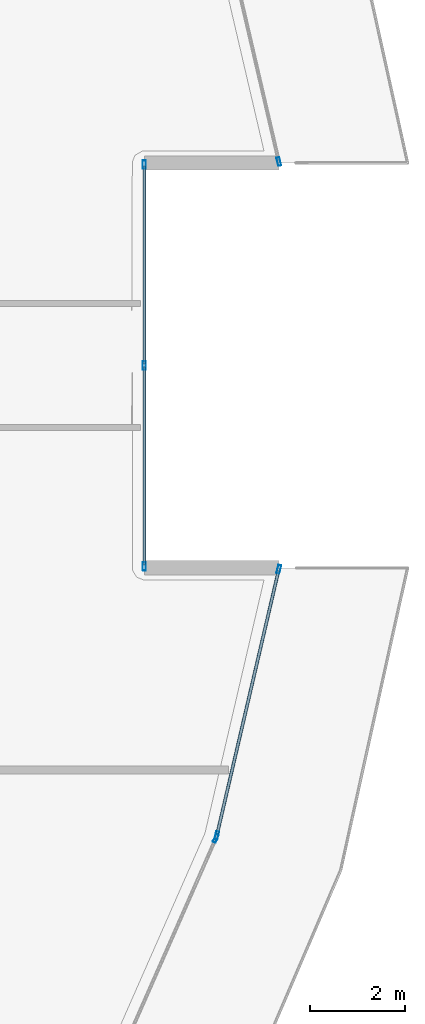
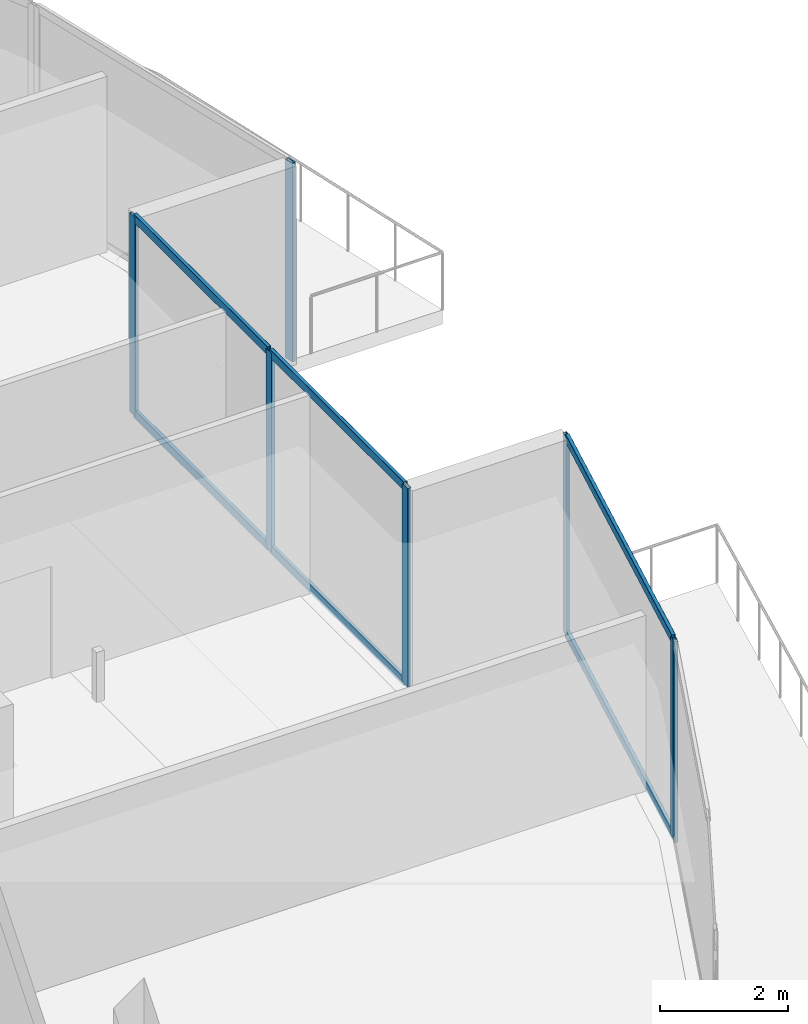
# One storey, part 14 of 33: 13 members, 4 elements without a shape of their own.
"""IFC4 building model written with IfcOpenShell, lengths in metres."""

from ifc_helpers import new_model, si_unit, direction, frame, origin, origin_2d, place, context, subcontext, project, spatial, hollow_rectangle, extrude, material, layer, layer_set, material_profile, profile_set, type_object, element, aggregate, save


model = new_model("IFC4")

# Units and contexts
model_context = context("Model", 3, precision=1e-05, world=origin(), true_north=direction((0.0, 1.0)))
body_context = subcontext(model_context, "Body", "Model", "MODEL_VIEW")
ifc_project = project(units=[si_unit("LENGTHUNIT", "METRE"), si_unit("AREAUNIT", "SQUARE_METRE"), si_unit("VOLUMEUNIT", "CUBIC_METRE"), si_unit("PLANEANGLEUNIT", "RADIAN"), si_unit("MASSUNIT", "GRAM", prefix="KILO")], contexts=[model_context])

# Site, building, storey
site_placement = place(None, origin())
site = spatial("IfcSite", under=ifc_project, at=site_placement, CompositionType="ELEMENT")
building_placement = place(site_placement, origin())
building = spatial("IfcBuilding", under=site, at=building_placement, Name="Qorvath Tower", CompositionType="ELEMENT")
storey_placement = place(building_placement, frame((0.0, 0.0, 221.25)))
storey = spatial("IfcBuildingStorey", under=building, at=storey_placement, Name="L51", CompositionType="ELEMENT", Elevation=221.25)

# Curtain wall, member
ifc_material_1 = material(Name="Anodised aluminium and triple low-E glass", Category="aluminium")
ifc_layer = layer(ifc_material_1, 0.179931640625)
ifc_layer_set = layer_set([ifc_layer], Name="CW-SYS-3")
curtain_wall_type = type_object("IfcCurtainWallType", Name="CW-SYS-3", PredefinedType="NOTDEFINED", material=ifc_layer_set)
curtain_wall_1_placement = place(storey_placement, origin())
curtain_wall_1 = element("IfcCurtainWall", 1, at=curtain_wall_1_placement, inside=storey, type_object=curtain_wall_type, Name="Curtain Wall CW-3 CW-T-L51-6.1", PredefinedType="NOTDEFINED")
ifc_material_2 = material(Name="Anodised aluminium 6063-T6", Category="aluminium")
ifc_material_profile_1 = material_profile(ifc_material_2, hollow_rectangle(XDim=0.06494140625, YDim=0.179931640625, WallThickness=0.00341796875, InnerFilletRadius=0.00341796875, OuterFilletRadius=0.007080078125, at=origin_2d()), Name="CWM 180x65")
ifc_profile_set_1 = profile_set([ifc_material_profile_1], Name="Anodised aluminium 6063-T6")
member_type_1 = type_object("IfcMemberType", Name="CWM-180", PredefinedType="MULLION", material=ifc_profile_set_1)
member_1_placement = place(storey_placement, frame((-1.28955078125, -9.9970703125, 0.0), z_axis=(0.0, 0.0, 1.0), x_axis=(-0.915321088723, 0.402724849666, 0.0)))
member_1 = element("IfcMember", 2, at=member_1_placement, type_object=member_type_1, Name="CW-3 mullion 2", PredefinedType="MULLION", context=body_context, shape_type="SweptSolid", body=[
    extrude(hollow_rectangle(XDim=0.06494140625, YDim=0.179931640625, WallThickness=0.00341796875, InnerFilletRadius=0.00341796875, OuterFilletRadius=0.007080078125, at=origin_2d()), origin(), (0.0, 0.0, 1.0), 3.780029296875),
])
aggregate(curtain_wall_1, [member_1])

# Curtain wall, members
curtain_wall_2_placement = place(storey_placement, origin())
curtain_wall_2 = element("IfcCurtainWall", 3, at=curtain_wall_2_placement, inside=storey, type_object=curtain_wall_type, Name="Curtain Wall CW-3 CW-T-L51-7.1", PredefinedType="NOTDEFINED")
member_2_placement = place(storey_placement, frame((-1.26904296875, -9.935546875, 0.0), z_axis=(0.0, 0.0, 1.0), x_axis=(-0.97390782408, 0.226943936238, 0.0)))
member_2 = element("IfcMember", 4, at=member_2_placement, type_object=member_type_1, Name="CW-3 mullion 1", PredefinedType="MULLION", context=body_context, shape_type="SweptSolid", body=[
    extrude(hollow_rectangle(XDim=0.06494140625, YDim=0.179931640625, WallThickness=0.00341796875, InnerFilletRadius=0.00341796875, OuterFilletRadius=0.007080078125, at=origin_2d()), origin(), (0.0, 0.0, 1.0), 3.780029296875),
])
member_3_placement = place(storey_placement, frame((0.042236328125, -4.30859375, 0.0), z_axis=(0.0, 0.0, 1.0), x_axis=(-0.97390782408, 0.226943936238, 0.0)))
member_3 = element("IfcMember", 5, at=member_3_placement, type_object=member_type_1, Name="CW-3 mullion 2", PredefinedType="MULLION", context=body_context, shape_type="SweptSolid", body=[
    extrude(hollow_rectangle(XDim=0.06494140625, YDim=0.179931640625, WallThickness=0.00341796875, InnerFilletRadius=0.00341796875, OuterFilletRadius=0.007080078125, at=origin_2d()), origin(), (0.0, 0.0, 1.0), 3.780029296875),
])

curtain_wall_3_placement = place(storey_placement, origin())
curtain_wall_3 = element("IfcCurtainWall", 6, at=curtain_wall_3_placement, inside=storey, type_object=curtain_wall_type, Name="Curtain Wall CW-3 CW-T-L51-9.1", PredefinedType="NOTDEFINED")
member_4_placement = place(storey_placement, frame((-2.8017578125, -4.244384765625, 0.0), z_axis=(0.0, 0.0, 1.0), x_axis=(-1.0, 0.0, 0.0)))
member_4 = element("IfcMember", 7, at=member_4_placement, type_object=member_type_1, Name="CW-3 mullion 1", PredefinedType="MULLION", context=body_context, shape_type="SweptSolid", body=[
    extrude(hollow_rectangle(XDim=0.06494140625, YDim=0.179931640625, WallThickness=0.00341796875, InnerFilletRadius=0.00341796875, OuterFilletRadius=0.007080078125, at=origin_2d()), origin(), (0.0, 0.0, 1.0), 3.780029296875),
])
member_5_placement = place(storey_placement, frame((-2.8017578125, 0.0, 0.0), z_axis=(0.0, 0.0, 1.0), x_axis=(-1.0, 0.0, 0.0)))
member_5 = element("IfcMember", 8, at=member_5_placement, type_object=member_type_1, Name="CW-3 mullion 2", PredefinedType="MULLION", context=body_context, shape_type="SweptSolid", body=[
    extrude(hollow_rectangle(XDim=0.06494140625, YDim=0.179931640625, WallThickness=0.00341796875, InnerFilletRadius=0.00341796875, OuterFilletRadius=0.007080078125, at=origin_2d()), origin(), (0.0, 0.0, 1.0), 3.780029296875),
])
member_6_placement = place(storey_placement, frame((-2.8017578125, 4.244384765625, 0.0), z_axis=(0.0, 0.0, 1.0), x_axis=(-1.0, 0.0, 0.0)))
member_6 = element("IfcMember", 9, at=member_6_placement, type_object=member_type_1, Name="CW-3 mullion 3", PredefinedType="MULLION", context=body_context, shape_type="SweptSolid", body=[
    extrude(hollow_rectangle(XDim=0.06494140625, YDim=0.179931640625, WallThickness=0.00341796875, InnerFilletRadius=0.00341796875, OuterFilletRadius=0.007080078125, at=origin_2d()), origin(), (0.0, 0.0, 1.0), 3.780029296875),
])

# Curtain wall, member
curtain_wall_4_placement = place(storey_placement, origin())
curtain_wall_4 = element("IfcCurtainWall", 10, at=curtain_wall_4_placement, inside=storey, type_object=curtain_wall_type, Name="Curtain Wall CW-3 CW-T-L51-11.1", PredefinedType="NOTDEFINED")
member_7_placement = place(storey_placement, frame((0.042236328125, 4.30859375, 0.0), z_axis=(0.0, 0.0, 1.0), x_axis=(-0.97390782408, -0.226943936238, 0.0)))
member_7 = element("IfcMember", 11, at=member_7_placement, type_object=member_type_1, Name="CW-3 mullion 1", PredefinedType="MULLION", context=body_context, shape_type="SweptSolid", body=[
    extrude(hollow_rectangle(XDim=0.06494140625, YDim=0.179931640625, WallThickness=0.00341796875, InnerFilletRadius=0.00341796875, OuterFilletRadius=0.007080078125, at=origin_2d()), origin(), (0.0, 0.0, 1.0), 3.780029296875),
])
aggregate(curtain_wall_4, [member_7])

# Member
ifc_material_3 = material(Name="Anodised aluminium 6063-T6", Category="aluminium")
ifc_material_profile_2 = material_profile(ifc_material_3, hollow_rectangle(XDim=0.06494140625, YDim=0.159912109375, WallThickness=0.00341796875, InnerFilletRadius=0.00341796875, OuterFilletRadius=0.007080078125, at=origin_2d()), Name="CWT 160x65")
ifc_profile_set_2 = profile_set([ifc_material_profile_2], Name="Anodised aluminium 6063-T6")
member_type_2 = type_object("IfcMemberType", Name="CWT-160", PredefinedType="USERDEFINED", material=ifc_profile_set_2)
member_8_placement = place(storey_placement, frame((-1.26171875, -9.904052734375, 0.032470703125), z_axis=(0.226959424522, 0.973904214808, 0.0), x_axis=(-0.973904214808, 0.226959424522, 0.0)))
member_8 = element("IfcMember", 12, at=member_8_placement, type_object=member_type_2, Name="CW-3 transom 1.1", ObjectType="TRANSOM", PredefinedType="USERDEFINED", context=body_context, shape_type="SweptSolid", body=[
    extrude(hollow_rectangle(XDim=0.06494140625, YDim=0.159912109375, WallThickness=0.00341796875, InnerFilletRadius=0.00341796875, OuterFilletRadius=0.007080078125, at=origin_2d()), origin(), (0.0, 0.0, 1.0), 5.713134765625),
])

member_9_placement = place(storey_placement, frame((-1.26171875, -9.904052734375, 3.74755859375), z_axis=(0.226959424522, 0.973904214808, 0.0), x_axis=(-0.973904214808, 0.226959424522, 0.0)))
member_9 = element("IfcMember", 13, at=member_9_placement, type_object=member_type_2, Name="CW-3 transom 1.2", ObjectType="TRANSOM", PredefinedType="USERDEFINED", context=body_context, shape_type="SweptSolid", body=[
    extrude(hollow_rectangle(XDim=0.06494140625, YDim=0.159912109375, WallThickness=0.00341796875, InnerFilletRadius=0.00341796875, OuterFilletRadius=0.007080078125, at=origin_2d()), origin(), (0.0, 0.0, 1.0), 5.713134765625),
])

aggregate(curtain_wall_2, [member_2, member_3, member_8, member_9])

member_10_placement = place(storey_placement, frame((-2.8017578125, -4.2119140625, 0.032470703125), z_axis=(0.0, 1.0, 0.0), x_axis=(-1.0, 0.0, 0.0)))
member_10 = element("IfcMember", 14, at=member_10_placement, type_object=member_type_2, Name="CW-3 transom 1.1", ObjectType="TRANSOM", PredefinedType="USERDEFINED", context=body_context, shape_type="SweptSolid", body=[
    extrude(hollow_rectangle(XDim=0.06494140625, YDim=0.159912109375, WallThickness=0.00341796875, InnerFilletRadius=0.00341796875, OuterFilletRadius=0.007080078125, at=origin_2d()), origin(), (0.0, 0.0, 1.0), 4.179443359375),
])

member_11_placement = place(storey_placement, frame((-2.8017578125, -4.2119140625, 3.74755859375), z_axis=(0.0, 1.0, 0.0), x_axis=(-1.0, 0.0, 0.0)))
member_11 = element("IfcMember", 15, at=member_11_placement, type_object=member_type_2, Name="CW-3 transom 1.2", ObjectType="TRANSOM", PredefinedType="USERDEFINED", context=body_context, shape_type="SweptSolid", body=[
    extrude(hollow_rectangle(XDim=0.06494140625, YDim=0.159912109375, WallThickness=0.00341796875, InnerFilletRadius=0.00341796875, OuterFilletRadius=0.007080078125, at=origin_2d()), origin(), (0.0, 0.0, 1.0), 4.179443359375),
])

member_12_placement = place(storey_placement, frame((-2.8017578125, 0.032470703125, 0.032470703125), z_axis=(0.0, 1.0, 0.0), x_axis=(-1.0, 0.0, 0.0)))
member_12 = element("IfcMember", 16, at=member_12_placement, type_object=member_type_2, Name="CW-3 transom 2.1", ObjectType="TRANSOM", PredefinedType="USERDEFINED", context=body_context, shape_type="SweptSolid", body=[
    extrude(hollow_rectangle(XDim=0.06494140625, YDim=0.159912109375, WallThickness=0.00341796875, InnerFilletRadius=0.00341796875, OuterFilletRadius=0.007080078125, at=origin_2d()), origin(), (0.0, 0.0, 1.0), 4.179443359375),
])

member_13_placement = place(storey_placement, frame((-2.8017578125, 0.032470703125, 3.74755859375), z_axis=(0.0, 1.0, 0.0), x_axis=(-1.0, 0.0, 0.0)))
member_13 = element("IfcMember", 17, at=member_13_placement, type_object=member_type_2, Name="CW-3 transom 2.2", ObjectType="TRANSOM", PredefinedType="USERDEFINED", context=body_context, shape_type="SweptSolid", body=[
    extrude(hollow_rectangle(XDim=0.06494140625, YDim=0.159912109375, WallThickness=0.00341796875, InnerFilletRadius=0.00341796875, OuterFilletRadius=0.007080078125, at=origin_2d()), origin(), (0.0, 0.0, 1.0), 4.179443359375),
])

aggregate(curtain_wall_3, [member_4, member_5, member_6, member_10, member_11, member_12, member_13])

save(model, "model.ifc")
